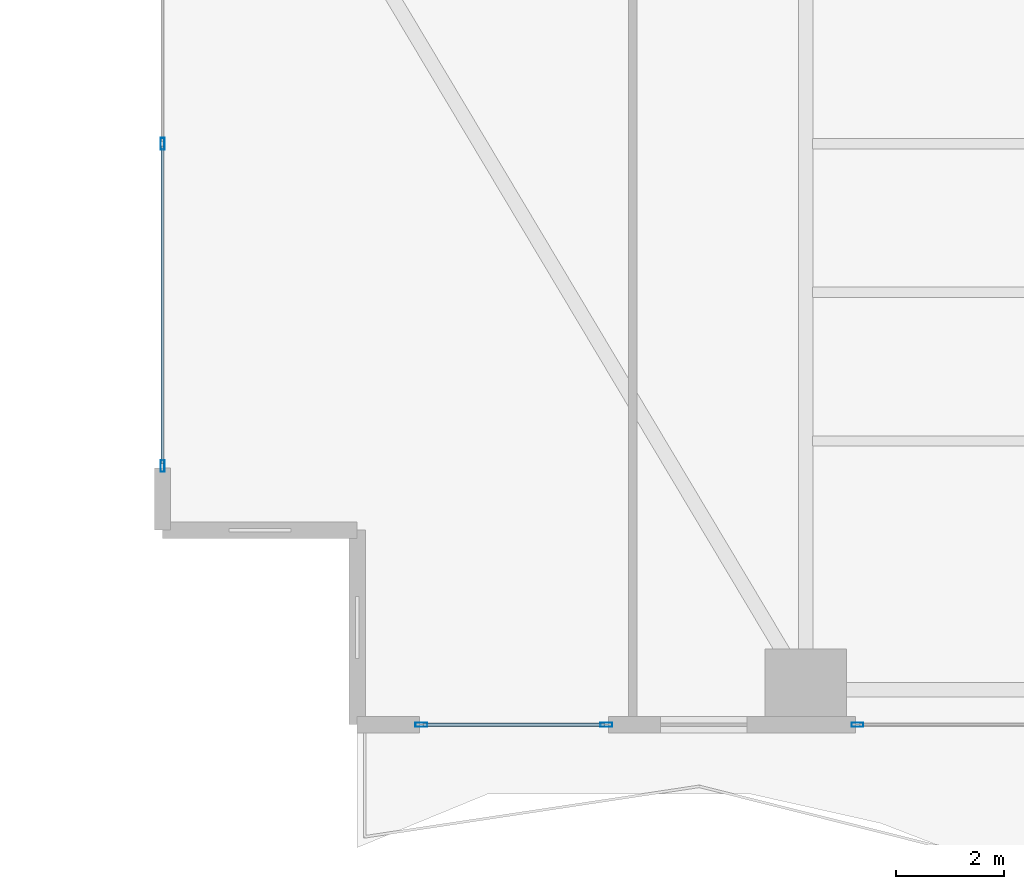
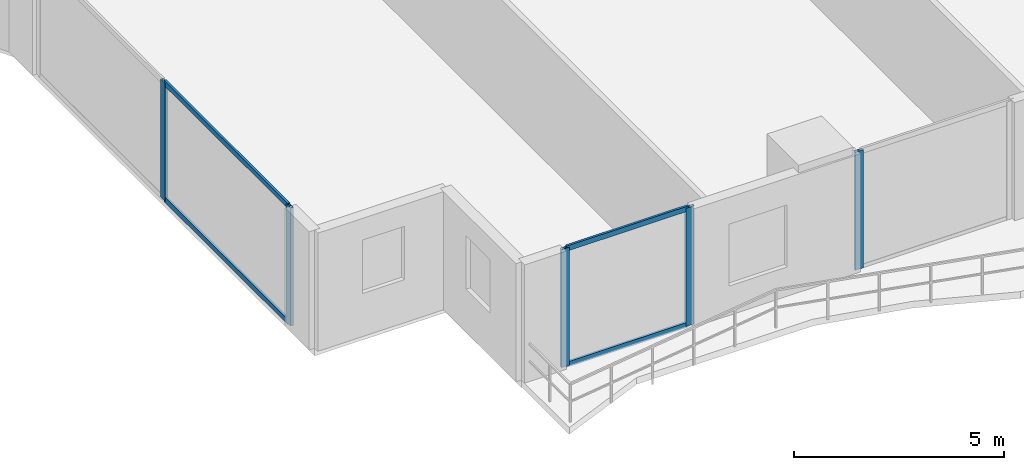
# One storey, part 2 of 29: 9 members, 3 elements without a shape of their own.
"""IFC4 building model written with IfcOpenShell, lengths in metres."""

from ifc_helpers import new_model, si_unit, direction, frame, origin, origin_2d, place, context, subcontext, project, spatial, hollow_rectangle, extrude, material, layer, layer_set, material_profile, profile_set, type_object, element, aggregate, save


model = new_model("IFC4")

# Units and contexts
model_context = context("Model", 3, precision=1e-05, world=origin(), true_north=direction((0.0, 1.0)))
body_context = subcontext(model_context, "Body", "Model", "MODEL_VIEW")
ifc_project = project(units=[si_unit("LENGTHUNIT", "METRE"), si_unit("AREAUNIT", "SQUARE_METRE"), si_unit("VOLUMEUNIT", "CUBIC_METRE"), si_unit("PLANEANGLEUNIT", "RADIAN"), si_unit("MASSUNIT", "GRAM", prefix="KILO")], contexts=[model_context])

# Site, building, storey
site_placement = place(None, origin())
site = spatial("IfcSite", under=ifc_project, at=site_placement, CompositionType="ELEMENT")
building_placement = place(site_placement, origin())
building = spatial("IfcBuilding", under=site, at=building_placement, Name="Zuhayl Quay Hotel", CompositionType="ELEMENT")
storey_placement = place(building_placement, frame((0.0, 0.0, 45.85009765625)))
storey = spatial("IfcBuildingStorey", under=building, at=storey_placement, Name="L10", CompositionType="ELEMENT", Elevation=45.85009765625)

# Curtain wall, members
ifc_material_1 = material(Name="Anodised Aluminium 6063-T6", Category="aluminium")
ifc_layer = layer(ifc_material_1, 0.18994140625, Name="Anodised Aluminium 6063-T6", Category="aluminium")
ifc_layer_set = layer_set([ifc_layer], Name="Anodised Aluminium 6063-T6")
curtain_wall_type = type_object("IfcCurtainWallType", Name="CW_SYS_Z1", PredefinedType="USERDEFINED", material=ifc_layer_set)
curtain_wall_1_placement = place(storey_placement, origin())
curtain_wall_1 = element("IfcCurtainWall", 1, at=curtain_wall_1_placement, inside=storey, type_object=curtain_wall_type, Name="L10 Curtain Wall ENV_L10_E02_CW1", ObjectType="UNITISED CURTAIN WALL", PredefinedType="USERDEFINED")
ifc_material_2 = material(Name="Black-anodised aluminium 6063-T6", Category="aluminium")
ifc_material_profile_1 = material_profile(ifc_material_2, hollow_rectangle(XDim=0.074951171875, YDim=0.219970703125, WallThickness=0.00390625, at=origin_2d()), Name="ALU220X75")
ifc_profile_set_1 = profile_set([ifc_material_profile_1], Name="Black-anodised aluminium 6063-T6")
member_type_1 = type_object("IfcMemberType", Name="MB_CW_MUL_220", PredefinedType="MULLION", material=ifc_profile_set_1)
member_1_placement = place(storey_placement, frame((-25.699951171875, -18.3125, 0.0), z_axis=(0.0, 0.0, 1.0), x_axis=(-1.0, 0.0, 0.0)))
member_1 = element("IfcMember", 2, at=member_1_placement, type_object=member_type_1, Name="CW-Z1 mullion 1", PredefinedType="MULLION", context=body_context, shape_type="SweptSolid", body=[
    extrude(hollow_rectangle(XDim=0.074951171875, YDim=0.219970703125, WallThickness=0.00390625, at=origin_2d()), origin(), (0.0, 0.0, 1.0), 3.429931640625),
])
member_2_placement = place(storey_placement, frame((-25.699951171875, -12.35009765625, 0.0), z_axis=(0.0, 0.0, 1.0), x_axis=(-1.0, 0.0, 0.0)))
member_2 = element("IfcMember", 3, at=member_2_placement, type_object=member_type_1, Name="CW-Z1 mullion 2", PredefinedType="MULLION", context=body_context, shape_type="SweptSolid", body=[
    extrude(hollow_rectangle(XDim=0.074951171875, YDim=0.219970703125, WallThickness=0.00390625, at=origin_2d()), origin(), (0.0, 0.0, 1.0), 3.429931640625),
])

# Curtain wall, member
curtain_wall_2_placement = place(storey_placement, origin())
curtain_wall_2 = element("IfcCurtainWall", 4, at=curtain_wall_2_placement, inside=storey, type_object=curtain_wall_type, Name="L10 Curtain Wall ENV_L10_S_CW4", ObjectType="UNITISED CURTAIN WALL", PredefinedType="USERDEFINED")
member_3_placement = place(storey_placement, frame((-12.842529296875, -23.10009765625, 0.0), z_axis=(0.0, 0.0, 1.0), x_axis=(0.0, -1.0, 0.0)))
member_3 = element("IfcMember", 5, at=member_3_placement, type_object=member_type_1, Name="CW-Z1 mullion 2", PredefinedType="MULLION", context=body_context, shape_type="SweptSolid", body=[
    extrude(hollow_rectangle(XDim=0.074951171875, YDim=0.219970703125, WallThickness=0.00390625, at=origin_2d()), origin(), (0.0, 0.0, 1.0), 3.429931640625),
])
aggregate(curtain_wall_2, [member_3])

# Curtain wall, members
curtain_wall_3_placement = place(storey_placement, origin())
curtain_wall_3 = element("IfcCurtainWall", 6, at=curtain_wall_3_placement, inside=storey, type_object=curtain_wall_type, Name="L10 Curtain Wall ENV_L10_S_CW5", ObjectType="UNITISED CURTAIN WALL", PredefinedType="USERDEFINED")
member_4_placement = place(storey_placement, frame((-17.487548828125, -23.10009765625, 0.0), z_axis=(0.0, 0.0, 1.0), x_axis=(0.0, -1.0, 0.0)))
member_4 = element("IfcMember", 7, at=member_4_placement, type_object=member_type_1, Name="CW-Z1 mullion 1", PredefinedType="MULLION", context=body_context, shape_type="SweptSolid", body=[
    extrude(hollow_rectangle(XDim=0.074951171875, YDim=0.219970703125, WallThickness=0.00390625, at=origin_2d()), origin(), (0.0, 0.0, 1.0), 3.429931640625),
])
member_5_placement = place(storey_placement, frame((-20.91259765625, -23.10009765625, 0.0), z_axis=(0.0, 0.0, 1.0), x_axis=(0.0, -1.0, 0.0)))
member_5 = element("IfcMember", 8, at=member_5_placement, type_object=member_type_1, Name="CW-Z1 mullion 2", PredefinedType="MULLION", context=body_context, shape_type="SweptSolid", body=[
    extrude(hollow_rectangle(XDim=0.074951171875, YDim=0.219970703125, WallThickness=0.00390625, at=origin_2d()), origin(), (0.0, 0.0, 1.0), 3.429931640625),
])

# Member
ifc_material_profile_2 = material_profile(ifc_material_2, hollow_rectangle(XDim=0.06005859375, YDim=0.14990234375, WallThickness=0.00341796875, at=origin_2d()), Name="ALU150X60")
ifc_profile_set_2 = profile_set([ifc_material_profile_2], Name="Black-anodised aluminium 6063-T6")
member_type_2 = type_object("IfcMemberType", Name="MB_CW_TRN_150", PredefinedType="USERDEFINED", material=ifc_profile_set_2)
member_6_placement = place(storey_placement, frame((-25.699951171875, -18.27490234375, 0.02978515625), z_axis=(0.0, 1.0, 0.0), x_axis=(-1.0, 0.0, 0.0)))
member_6 = element("IfcMember", 9, at=member_6_placement, type_object=member_type_2, Name="CW-Z1 transom 1.1", ObjectType="TRANSOM", PredefinedType="USERDEFINED", context=body_context, shape_type="SweptSolid", body=[
    extrude(hollow_rectangle(XDim=0.06005859375, YDim=0.14990234375, WallThickness=0.00341796875, at=origin_2d()), origin(), (0.0, 0.0, 1.0), 5.887451171875),
])

member_7_placement = place(storey_placement, frame((-25.699951171875, -18.27490234375, 3.39990234375), z_axis=(0.0, 1.0, 0.0), x_axis=(-1.0, 0.0, 0.0)))
member_7 = element("IfcMember", 10, at=member_7_placement, type_object=member_type_2, Name="CW-Z1 transom 1.2", ObjectType="TRANSOM", PredefinedType="USERDEFINED", context=body_context, shape_type="SweptSolid", body=[
    extrude(hollow_rectangle(XDim=0.06005859375, YDim=0.14990234375, WallThickness=0.00341796875, at=origin_2d()), origin(), (0.0, 0.0, 1.0), 5.887451171875),
])

aggregate(curtain_wall_1, [member_1, member_2, member_6, member_7])

member_8_placement = place(storey_placement, frame((-17.52490234375, -23.10009765625, 0.02978515625), z_axis=(-1.0, 0.0, 0.0), x_axis=(0.0, -1.0, 0.0)))
member_8 = element("IfcMember", 11, at=member_8_placement, type_object=member_type_2, Name="CW-Z1 transom 1.1", ObjectType="TRANSOM", PredefinedType="USERDEFINED", context=body_context, shape_type="SweptSolid", body=[
    extrude(hollow_rectangle(XDim=0.06005859375, YDim=0.14990234375, WallThickness=0.00341796875, at=origin_2d()), origin(), (0.0, 0.0, 1.0), 3.35009765625),
])

member_9_placement = place(storey_placement, frame((-17.52490234375, -23.10009765625, 3.39990234375), z_axis=(-1.0, 0.0, 0.0), x_axis=(0.0, -1.0, 0.0)))
member_9 = element("IfcMember", 12, at=member_9_placement, type_object=member_type_2, Name="CW-Z1 transom 1.2", ObjectType="TRANSOM", PredefinedType="USERDEFINED", context=body_context, shape_type="SweptSolid", body=[
    extrude(hollow_rectangle(XDim=0.06005859375, YDim=0.14990234375, WallThickness=0.00341796875, at=origin_2d()), origin(), (0.0, 0.0, 1.0), 3.35009765625),
])

aggregate(curtain_wall_3, [member_4, member_5, member_8, member_9])

save(model, "model.ifc")
